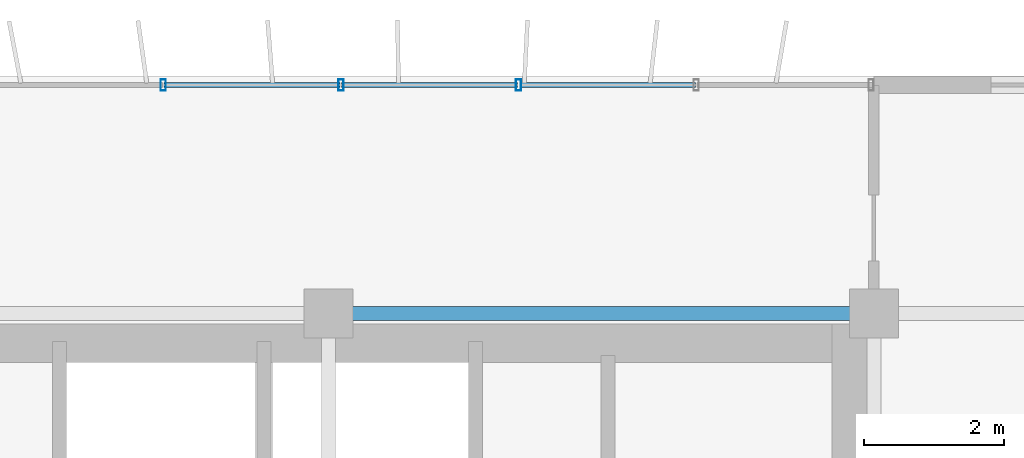
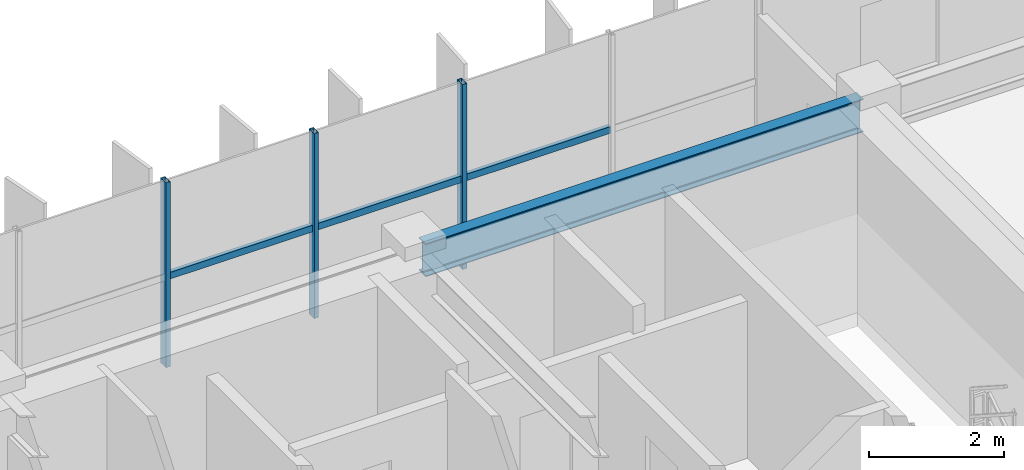
# One storey, part 10 of 20: 6 members, 1 beam, 1 element without a shape of its own.
"""IFC4 building model written with IfcOpenShell, lengths in metres."""

import ifcopenshell
import ifcopenshell.guid

model = None  # the IFC model being written
_history = None  # IfcOwnerHistory: only IFC2X3 demands one
_inside = {}  # id of a spatial element -> (the spatial element, [elements in it])
_under = {}  # id of a project, library or spatial element -> (it, [spatial elements below it])
_declared = {}  # id of a project -> (the project, [libraries it declares])
_typed = {}  # id of a type object -> (the type object, [elements of that type])
_made_of = {}  # id of a material, layer set ... -> (it, [elements and type objects made of it])


def new_model(schema):
    """Start an empty IFC model of exactly this schema.

    Asked for "IFC4X3", IfcOpenShell would pick the latest addendum, in which some entities
    have other attributes; the version numbers below select the first issue.
    IFC2X3 requires an IfcOwnerHistory on every rooted entity: one is made here for all.
    """
    global model, _history
    if schema == "IFC4X3":
        model = ifcopenshell.file(schema_version=(4, 3, 0, 0))
    else:
        model = ifcopenshell.file(schema=schema)
    _inside.clear()
    _under.clear()
    _declared.clear()
    _typed.clear()
    _made_of.clear()
    _history = None
    if model.schema == "IFC2X3":
        org = make("IfcOrganization", Name="unknown")
        user = make(
            "IfcPersonAndOrganization",
            ThePerson=make("IfcPerson", FamilyName="unknown"),
            TheOrganization=org,
        )
        app = make(
            "IfcApplication",
            ApplicationDeveloper=org,
            Version="unknown",
            ApplicationFullName="unknown",
            ApplicationIdentifier="unknown",
        )
        _history = make(
            "IfcOwnerHistory",
            OwningUser=user,
            OwningApplication=app,
            ChangeAction="ADDED",
            CreationDate=0,
        )
    return model


def make(cls, **values):
    """One entity of the class cls with the attributes given. An attribute that is None is left unset."""
    return model.create_entity(
        cls, **{name: value for name, value in values.items() if value is not None}
    )


def rooted(cls, **values):
    """An entity with a GlobalId (a new one), such as an element, a storey or a relation."""
    return make(cls, GlobalId=ifcopenshell.guid.new(), OwnerHistory=_history, **values)


def si_unit(unit_type, name, prefix=None):
    """IfcSIUnit, for example si_unit("LENGTHUNIT", "METRE", prefix="MILLI")."""
    return make("IfcSIUnit", UnitType=unit_type, Prefix=prefix, Name=name)


def assignment(units):
    """IfcUnitAssignment: the units of a project."""
    return None if units is None else make("IfcUnitAssignment", Units=units)


def point(xyz):
    """IfcCartesianPoint."""
    return None if xyz is None else make("IfcCartesianPoint", Coordinates=xyz)


def direction(xyz):
    """IfcDirection."""
    return None if xyz is None else make("IfcDirection", DirectionRatios=xyz)


def frame(location, z_axis=None, x_axis=None):
    """IfcAxis2Placement3D, a coordinate frame: its origin and axes. An axis left out is left unset."""
    return make(
        "IfcAxis2Placement3D",
        Location=point(location),
        Axis=direction(z_axis),
        RefDirection=direction(x_axis),
    )


def frame_2d(location, x_axis=None):
    """IfcAxis2Placement2D, a coordinate frame in the plane: its origin and x axis."""
    return make(
        "IfcAxis2Placement2D", Location=point(location), RefDirection=direction(x_axis)
    )


def origin():
    """The frame at (0, 0, 0) with its axes left unset."""
    return frame((0.0, 0.0, 0.0))


def origin_2d():
    """The frame at (0, 0) in the plane with its x axis left unset."""
    return frame_2d((0.0, 0.0))


def place(relative_to, where):
    """IfcLocalPlacement: puts the frame where relative to a parent placement (None: the world)."""
    return make(
        "IfcLocalPlacement", PlacementRelTo=relative_to, RelativePlacement=where
    )


def context(
    kind, dimensions, precision=None, world=None, true_north=None, identifier=None
):
    """IfcGeometricRepresentationContext, for example the 3D "Model" context."""
    return make(
        "IfcGeometricRepresentationContext",
        ContextIdentifier=identifier,
        ContextType=kind,
        CoordinateSpaceDimension=dimensions,
        Precision=precision,
        WorldCoordinateSystem=world,
        TrueNorth=true_north,
    )


def subcontext(parent, identifier, kind, view, scale=None):
    """IfcGeometricRepresentationSubContext, for example "Body" below "Model"."""
    return make(
        "IfcGeometricRepresentationSubContext",
        ContextIdentifier=identifier,
        ContextType=kind,
        ParentContext=parent,
        TargetScale=scale,
        TargetView=view,
    )


def project(units=None, contexts=None):
    """IfcProject with its units and contexts."""
    return rooted(
        "IfcProject",
        Name="project",
        RepresentationContexts=contexts,
        UnitsInContext=assignment(units),
    )


def spatial(cls, under=None, at=None, **own):
    """A site, building, storey or space (cls), placed at a placement, below another one or the project."""
    s = rooted(cls, ObjectPlacement=at, **own)
    if under is not None:
        _under.setdefault(under.id(), (under, []))[1].append(s)
    return s


def profile(cls, at=None, kind="AREA", **sizes):
    """A parametric profile (cls). Its sizes go by their IFC names, for example OverallWidth=200.0."""
    return make(cls, ProfileType=kind, Position=at, **sizes)


def hollow_rectangle(**sizes):
    """IfcRectangleHollowProfileDef."""
    return profile("IfcRectangleHollowProfileDef", **sizes)


def i_section(**sizes):
    """IfcIShapeProfileDef."""
    return profile("IfcIShapeProfileDef", **sizes)


def extrude(swept, where, along, depth):
    """IfcExtrudedAreaSolid: the profile swept, set in the frame where, extruded along a direction by depth."""
    return make(
        "IfcExtrudedAreaSolid",
        SweptArea=swept,
        Position=where,
        ExtrudedDirection=direction(along),
        Depth=depth,
    )


def shape(context_of_items, identifier, shape_type, items):
    """IfcShapeRepresentation: the items that make up one representation, for example the "Body"."""
    return make(
        "IfcShapeRepresentation",
        ContextOfItems=context_of_items,
        RepresentationIdentifier=identifier,
        RepresentationType=shape_type,
        Items=items,
    )


def source(mapping_origin, context_of_items, identifier, shape_type, items):
    """IfcRepresentationMap: a shape defined once, which mapped items show again and again."""
    return make(
        "IfcRepresentationMap",
        MappingOrigin=mapping_origin,
        MappedRepresentation=shape(context_of_items, identifier, shape_type, items),
    )


def transform(
    local_origin,
    x_axis=None,
    y_axis=None,
    z_axis=None,
    scale=None,
    scale2=None,
    scale3=None,
    uniform=True,
):
    """IfcCartesianTransformationOperator3D, or its non-uniform kind. x_axis, y_axis, z_axis: its Axis1, 2, 3."""
    if uniform:
        return make(
            "IfcCartesianTransformationOperator3D",
            Axis1=direction(x_axis),
            Axis2=direction(y_axis),
            LocalOrigin=point(local_origin),
            Scale=scale,
            Axis3=direction(z_axis),
        )
    return make(
        "IfcCartesianTransformationOperator3DnonUniform",
        Axis1=direction(x_axis),
        Axis2=direction(y_axis),
        LocalOrigin=point(local_origin),
        Scale=scale,
        Axis3=direction(z_axis),
        Scale2=scale2,
        Scale3=scale3,
    )


def mapped(mapping_source, mapping_target):
    """IfcMappedItem: shows the shape of a source again, moved by a transform."""
    return make(
        "IfcMappedItem", MappingSource=mapping_source, MappingTarget=mapping_target
    )


def material(Name=None, Category=None):
    """IfcMaterial."""
    return make("IfcMaterial", Name=Name, Category=Category)


def material_profile(
    of_material, cross_section, Name=None, Category=None, Priority=None
):
    """IfcMaterialProfile: a cross section and its material."""
    return make(
        "IfcMaterialProfile",
        Name=Name,
        Material=of_material,
        Profile=cross_section,
        Priority=Priority,
        Category=Category,
    )


def profile_set(profiles, Name=None, composite=None):
    """IfcMaterialProfileSet."""
    return make(
        "IfcMaterialProfileSet",
        Name=Name,
        MaterialProfiles=profiles,
        CompositeProfile=composite,
    )


def made_of(thing, what):
    """Note that an element or type object is made of a material, layer set ...; save() writes the relation."""
    if what is not None:
        _made_of.setdefault(what.id(), (what, []))[1].append(thing)
    return thing


def type_object(cls, material=None, **own):
    """A type object (cls), such as IfcWallType, which elements share."""
    return made_of(rooted(cls, **own), material)


def element(
    cls,
    number,
    at=None,
    inside=None,
    cuts=None,
    type_object=None,
    material=None,
    context=None,
    identifier="Body",
    shape_type=None,
    held_by="IfcProductDefinitionShape",
    body=None,
    shapes=None,
    **own,
):
    """One element of the class cls, such as IfcWall. Its Tag is "e" and its number.

    at: its placement. inside: the storey or other place that contains it. cuts: it is an
    opening in that element (IfcRelVoidsElement). A single representation is given by context,
    identifier, shape_type and body (its items); several are given by shapes. held_by: the class
    of the entity that holds the representations. save() writes the other relations.
    """
    e = rooted(cls, Tag="e%d" % number, ObjectPlacement=at, **own)
    if body is not None:
        shapes = [shape(context, identifier, shape_type, body)]
    if shapes is not None:
        e.Representation = make(held_by, Representations=shapes)
    if inside is not None:
        _inside.setdefault(inside.id(), (inside, []))[1].append(e)
    if cuts is not None:
        rooted(
            "IfcRelVoidsElement", RelatingBuildingElement=cuts, RelatedOpeningElement=e
        )
    if type_object is not None:
        _typed.setdefault(type_object.id(), (type_object, []))[1].append(e)
    return made_of(e, material)


def aggregate(whole, parts):
    """IfcRelAggregates: a whole, such as a stair, and the parts it consists of."""
    return rooted("IfcRelAggregates", RelatingObject=whole, RelatedObjects=parts)


def save(model, path):
    """Write the relations noted so far, then the file.

    IfcRelAggregates (storeys below a building ...), IfcRelContainedInSpatialStructure (elements
    in a storey), IfcRelDefinesByType, IfcRelAssociatesMaterial and IfcRelDeclares: one each for
    every whole, place, type object, material and project.
    """
    for whole, parts in _under.values():
        aggregate(whole, parts)
    for where, things in _inside.values():
        rooted(
            "IfcRelContainedInSpatialStructure",
            RelatedElements=things,
            RelatingStructure=where,
        )
    for kind, things in _typed.values():
        rooted("IfcRelDefinesByType", RelatedObjects=things, RelatingType=kind)
    for what, things in _made_of.values():
        rooted("IfcRelAssociatesMaterial", RelatedObjects=things, RelatingMaterial=what)
    for by, libraries in _declared.values():
        rooted("IfcRelDeclares", RelatingContext=by, RelatedDefinitions=libraries)
    model.write(path)


model = new_model("IFC4")

# Units and contexts
model_context = context("Model", 3, precision=1e-05, world=origin(), true_north=direction((0.0, 1.0)))
body_context = subcontext(model_context, "Body", "Model", "MODEL_VIEW")
ifc_project = project(units=[si_unit("LENGTHUNIT", "METRE"), si_unit("AREAUNIT", "SQUARE_METRE"), si_unit("VOLUMEUNIT", "CUBIC_METRE"), si_unit("PLANEANGLEUNIT", "RADIAN"), si_unit("MASSUNIT", "GRAM", prefix="KILO")], contexts=[model_context])

# Site, building, storey
site_placement = place(None, origin())
site = spatial("IfcSite", under=ifc_project, at=site_placement, CompositionType="ELEMENT")
building_placement = place(site_placement, origin())
building = spatial("IfcBuilding", under=site, at=building_placement, Name="Trelvane Seafront Commons", CompositionType="ELEMENT")
storey_placement = place(building_placement, frame((0.0, 0.0, 142.89990234375)))
storey = spatial("IfcBuildingStorey", under=building, at=storey_placement, Name="L37", CompositionType="ELEMENT", Elevation=142.89990234375)

# Beam
ifc_material_1 = material(Name="Steel SM355 (S355)", Category="steel")
ifc_material_profile_1 = material_profile(ifc_material_1, i_section(OverallWidth=0.199951171875, OverallDepth=0.60009765625, WebThickness=0.010986328125, FlangeThickness=0.01708984375, at=origin_2d()), Name="H-600x200x11x17")
ifc_profile_set_1 = profile_set([ifc_material_profile_1], Name="Steel SM355 (S355)")
beam_type = type_object("IfcBeamType", Name="STR-SPD-H600", PredefinedType="SPANDREL", material=ifc_profile_set_1)
shared_shape_1 = source(origin(), body_context, "Body", "SweptSolid", [
    extrude(i_section(OverallWidth=0.199951171875, OverallDepth=0.60009765625, WebThickness=0.010986328125, FlangeThickness=0.01708984375, at=origin_2d()), origin(), (0.0, 0.0, 1.0), 7.5),
])
beam_placement = place(storey_placement, frame((51.14990234375, 45.10009765625, 3.050048828125), z_axis=(1.0, 0.0, 0.0), x_axis=(0.0, 1.0, 0.0)))
element("IfcBeam", 1, at=beam_placement, inside=storey, type_object=beam_type, Name="L37 Primary Girder G-27", PredefinedType="SPANDREL", context=body_context, shape_type="MappedRepresentation", body=[
    mapped(shared_shape_1, transform((0.0, 0.0, 0.0), x_axis=(1.0, 0.0, 0.0), y_axis=(0.0, 1.0, 0.0), z_axis=(0.0, 0.0, 1.0), scale=1.0)),
])

# Curtain wall, members
ifc_material_2 = material(Name="Anodised pale-silver aluminium", Category="aluminium")
curtain_wall_type = type_object("IfcCurtainWallType", Name="ARCH-CW5-UPTOWER", PredefinedType="NOTDEFINED", material=ifc_material_2)
curtain_wall_placement = place(storey_placement, origin())
curtain_wall = element("IfcCurtainWall", 2, at=curtain_wall_placement, inside=storey, type_object=curtain_wall_type, Name="CW-L37-0064", PredefinedType="NOTDEFINED")
ifc_material_profile_2 = material_profile(ifc_material_2, hollow_rectangle(XDim=0.070068359375, YDim=0.1201171875, WallThickness=0.00390625, at=origin_2d()), Name="TRAN-70x120x4")
ifc_profile_set_2 = profile_set([ifc_material_profile_2], Name="Anodised pale-silver aluminium")
member_type_1 = type_object("IfcMemberType", Name="ARCH-CW-TRAN-120", PredefinedType="USERDEFINED", material=ifc_profile_set_2)
shared_shape_2 = source(origin(), body_context, "Body", "SweptSolid", [
    extrude(hollow_rectangle(XDim=0.070068359375, YDim=0.1201171875, WallThickness=0.00390625, at=origin_2d()), origin(), (0.0, 0.0, 1.0), 2.51708984375),
])
member_1_placement = place(storey_placement, frame((51.1884765625, 48.3701171875, 1.608154296875), z_axis=(1.0, 0.0, 0.0), x_axis=(0.0, 1.0, 0.0)))
member_1 = element("IfcMember", 3, at=member_1_placement, type_object=member_type_1, Name="CW-L37-0064-T14", ObjectType="TRANSOM", PredefinedType="USERDEFINED", context=body_context, shape_type="MappedRepresentation", body=[
    mapped(shared_shape_2, transform((0.0, 0.0, 0.0), x_axis=(1.0, 0.0, 0.0), y_axis=(0.0, 1.0, 0.0), z_axis=(0.0, 0.0, 1.0), scale=1.0)),
])
shared_shape_3 = source(origin(), body_context, "Body", "SweptSolid", [
    extrude(hollow_rectangle(XDim=0.070068359375, YDim=0.1201171875, WallThickness=0.00390625, at=origin_2d()), origin(), (0.0, 0.0, 1.0), 2.517333984375),
])
member_2_placement = place(storey_placement, frame((48.647216796875, 48.3701171875, 1.608154296875), z_axis=(1.0, 0.0, 0.0), x_axis=(0.0, 1.0, 0.0)))
member_2 = element("IfcMember", 4, at=member_2_placement, type_object=member_type_1, Name="CW-L37-0064-T13", ObjectType="TRANSOM", PredefinedType="USERDEFINED", context=body_context, shape_type="MappedRepresentation", body=[
    mapped(shared_shape_3, transform((0.0, 0.0, 0.0), x_axis=(1.0, 0.0, 0.0), y_axis=(0.0, 1.0, 0.0), z_axis=(0.0, 0.0, 1.0), scale=1.0)),
])
member_3_placement = place(storey_placement, frame((53.7294921875, 48.3701171875, 1.608154296875), z_axis=(1.0, 0.0, 0.0), x_axis=(0.0, 1.0, 0.0)))
member_3 = element("IfcMember", 5, at=member_3_placement, type_object=member_type_1, Name="CW-L37-0064-T15", ObjectType="TRANSOM", PredefinedType="USERDEFINED", context=body_context, shape_type="MappedRepresentation", body=[
    mapped(shared_shape_3, transform((0.0, 0.0, 0.0), x_axis=(1.0, 0.0, 0.0), y_axis=(0.0, 1.0, 0.0), z_axis=(0.0, 0.0, 1.0), scale=1.0)),
])
ifc_material_profile_3 = material_profile(ifc_material_2, hollow_rectangle(XDim=0.074951171875, YDim=0.159912109375, WallThickness=0.00390625, at=origin_2d()), Name="MULL-75x160x4")
ifc_profile_set_3 = profile_set([ifc_material_profile_3], Name="Anodised pale-silver aluminium")
member_type_2 = type_object("IfcMemberType", Name="ARCH-CW-MULL-160", PredefinedType="MULLION", material=ifc_profile_set_3)
shared_shape_4 = source(origin(), body_context, "Body", "SweptSolid", [
    extrude(hollow_rectangle(XDim=0.074951171875, YDim=0.159912109375, WallThickness=0.00390625, at=origin_2d()), origin(), (0.0, 0.0, 1.0), 3.35009765625),
])
member_4_placement = place(storey_placement, frame((48.63525390625, 48.3701171875, 0.0), z_axis=(0.0, 0.0, 1.0), x_axis=(1.0, 0.0, 0.0)))
member_4 = element("IfcMember", 6, at=member_4_placement, type_object=member_type_2, Name="CW-L37-0064-M13", PredefinedType="MULLION", context=body_context, shape_type="MappedRepresentation", body=[
    mapped(shared_shape_4, transform((0.0, 0.0, 0.0), x_axis=(1.0, 0.0, 0.0), y_axis=(0.0, 1.0, 0.0), z_axis=(0.0, 0.0, 1.0), scale=1.0)),
])
member_5_placement = place(storey_placement, frame((51.176513671875, 48.3701171875, 0.0), z_axis=(0.0, 0.0, 1.0), x_axis=(1.0, 0.0, 0.0)))
member_5 = element("IfcMember", 7, at=member_5_placement, type_object=member_type_2, Name="CW-L37-0064-M14", PredefinedType="MULLION", context=body_context, shape_type="MappedRepresentation", body=[
    mapped(shared_shape_4, transform((0.0, 0.0, 0.0), x_axis=(1.0, 0.0, 0.0), y_axis=(0.0, 1.0, 0.0), z_axis=(0.0, 0.0, 1.0), scale=1.0)),
])
member_6_placement = place(storey_placement, frame((53.717529296875, 48.3701171875, 0.0), z_axis=(0.0, 0.0, 1.0), x_axis=(1.0, 0.0, 0.0)))
member_6 = element("IfcMember", 8, at=member_6_placement, type_object=member_type_2, Name="CW-L37-0064-M15", PredefinedType="MULLION", context=body_context, shape_type="MappedRepresentation", body=[
    mapped(shared_shape_4, transform((0.0, 0.0, 0.0), x_axis=(1.0, 0.0, 0.0), y_axis=(0.0, 1.0, 0.0), z_axis=(0.0, 0.0, 1.0), scale=1.0)),
])
aggregate(curtain_wall, [member_4, member_5, member_6, member_2, member_1, member_3])

save(model, "model.ifc")
